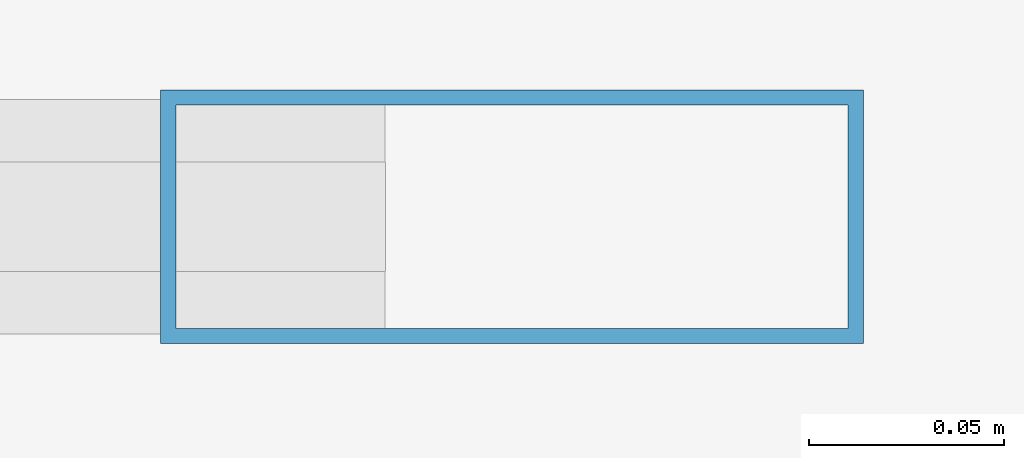
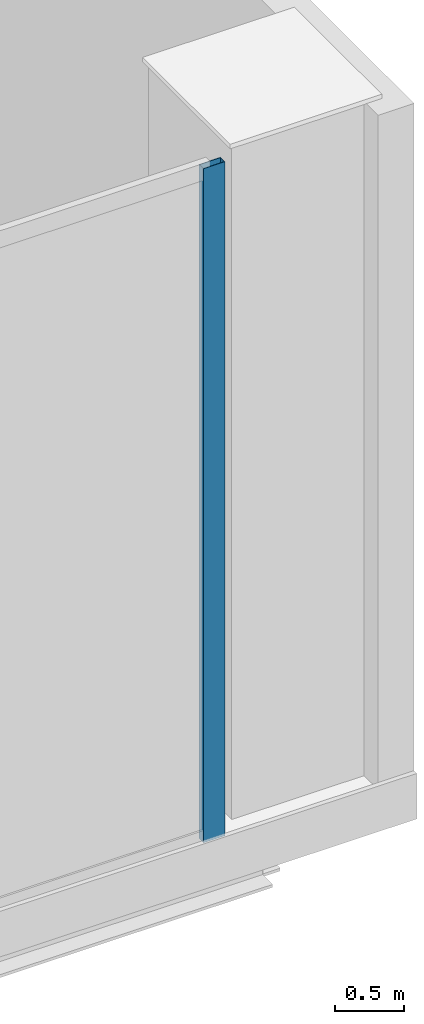
# One storey, part 16 of 41: 1 member, 1 element without a shape of its own.
"""IFC4 building model written with IfcOpenShell, lengths in metres."""

from ifc_helpers import new_model, si_unit, direction, frame, origin, origin_2d, place, context, subcontext, project, spatial, hollow_rectangle, extrude, source, transform, mapped, material, layer, layer_set, material_profile, profile_set, type_object, element, aggregate, save


model = new_model("IFC4")

# Units and contexts
model_context = context("Model", 3, precision=1e-05, world=origin(), true_north=direction((0.0, 1.0)))
body_context = subcontext(model_context, "Body", "Model", "MODEL_VIEW")
ifc_project = project(units=[si_unit("LENGTHUNIT", "METRE"), si_unit("AREAUNIT", "SQUARE_METRE"), si_unit("VOLUMEUNIT", "CUBIC_METRE"), si_unit("PLANEANGLEUNIT", "RADIAN"), si_unit("MASSUNIT", "GRAM", prefix="KILO"), si_unit("THERMODYNAMICTEMPERATUREUNIT", "KELVIN"), si_unit("POWERUNIT", "WATT")], contexts=[model_context])

# Site, building, storey
site_placement = place(None, origin())
site = spatial("IfcSite", under=ifc_project, at=site_placement, CompositionType="ELEMENT")
building_placement = place(site_placement, origin())
building = spatial("IfcBuilding", under=site, at=building_placement, Name="Yunzhuo Pagoda Commons", CompositionType="ELEMENT")
storey_placement = place(building_placement, frame((0.0, 0.0, 19.199951171875)))
storey = spatial("IfcBuildingStorey", under=building, at=storey_placement, Name="L05", CompositionType="ELEMENT", Elevation=19.199951171875)

# Curtain wall, member
ifc_material = material(Name="Anodized aluminium 6063-T6", Category="aluminium")
ifc_layer = layer(ifc_material, 0.179931640625)
ifc_layer_set = layer_set([ifc_layer], Name="Anodized aluminium 6063-T6")
curtain_wall_type = type_object("IfcCurtainWallType", Name="CW-POD Waterfront Podium Curtain Wall", PredefinedType="NOTDEFINED", material=ifc_layer_set)
curtain_wall_placement = place(storey_placement, origin())
curtain_wall = element("IfcCurtainWall", 1, at=curtain_wall_placement, inside=storey, type_object=curtain_wall_type, Name="L05 curtain wall CW-L05-S5", PredefinedType="NOTDEFINED")
ifc_material_profile = material_profile(ifc_material, hollow_rectangle(XDim=0.06494140625, YDim=0.179931640625, WallThickness=0.00390625, at=origin_2d()), Name="Anodized aluminium 6063-T6")
ifc_profile_set = profile_set([ifc_material_profile], Name="Anodized aluminium 6063-T6")
member_type = type_object("IfcMemberType", Name="CW-POD-M Mullion RHS 180x65x4", PredefinedType="MULLION", material=ifc_profile_set)
shared_shape = source(origin(), body_context, "Body", "SweptSolid", [
    extrude(hollow_rectangle(XDim=0.06494140625, YDim=0.179931640625, WallThickness=0.00390625, at=origin_2d()), origin(), (0.0, 0.0, 1.0), 5.920166015625),
])
member_placement = place(storey_placement, frame((90.367431640625, 6.080078125, 0.0), z_axis=(0.0, 0.0, 1.0), x_axis=(0.0, 1.0, 0.0)))
member = element("IfcMember", 2, at=member_placement, type_object=member_type, Name="CW mullion 3", PredefinedType="MULLION", context=body_context, shape_type="MappedRepresentation", body=[
    mapped(shared_shape, transform((0.0, 0.0, 0.0), scale=1.0)),
])
aggregate(curtain_wall, [member])

save(model, "model.ifc")
